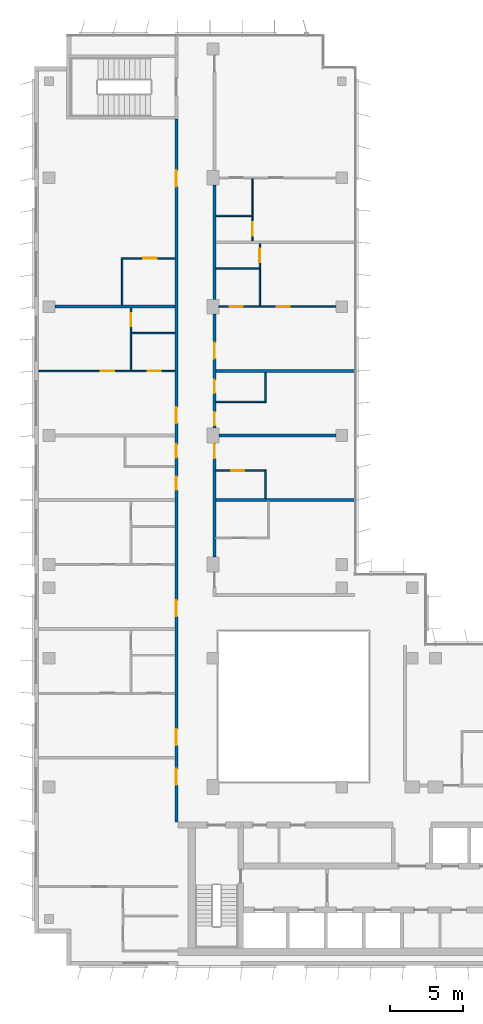
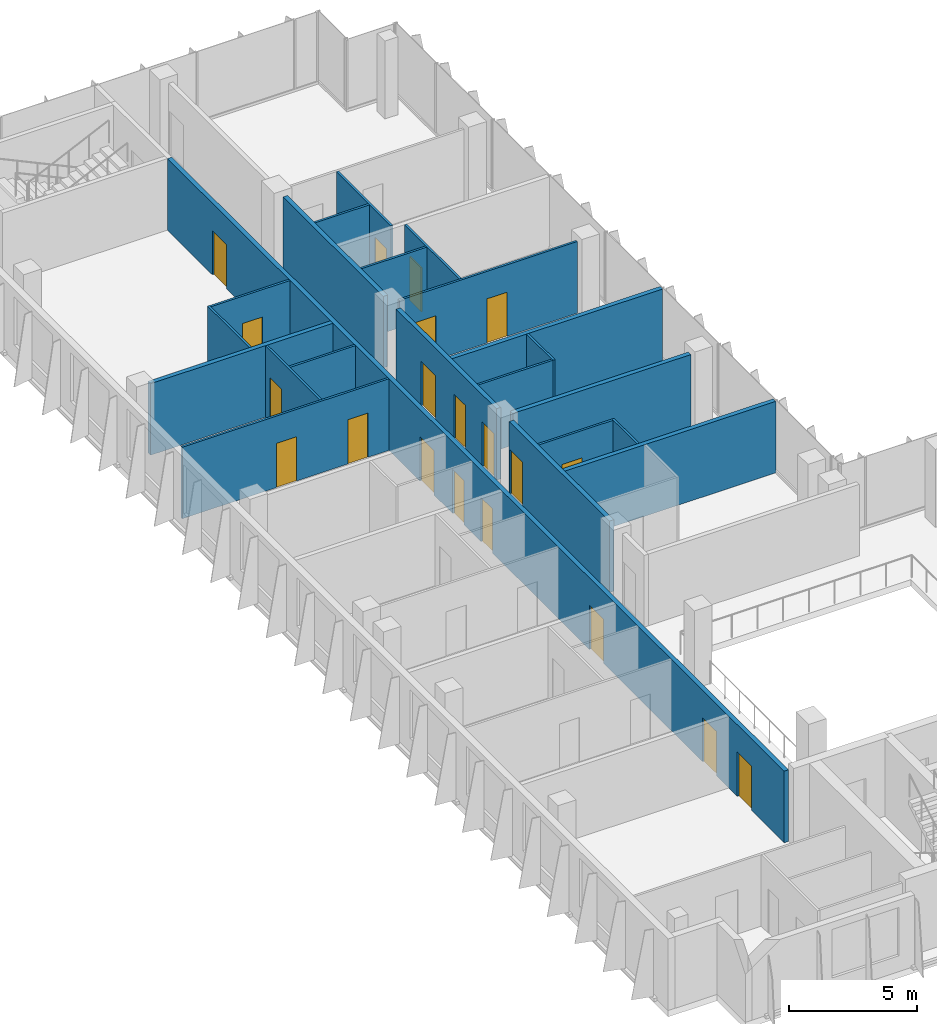
# One storey, part 12 of 16: 22 walls, 20 doors, 20 openings.
"""IFC4 building model written with IfcOpenShell, lengths in metres."""

import ifcopenshell
import ifcopenshell.guid

model = None  # the IFC model being written
_history = None  # IfcOwnerHistory: only IFC2X3 demands one
_inside = {}  # id of a spatial element -> (the spatial element, [elements in it])
_under = {}  # id of a project, library or spatial element -> (it, [spatial elements below it])
_declared = {}  # id of a project -> (the project, [libraries it declares])
_typed = {}  # id of a type object -> (the type object, [elements of that type])
_made_of = {}  # id of a material, layer set ... -> (it, [elements and type objects made of it])


def new_model(schema):
    """Start an empty IFC model of exactly this schema.

    Asked for "IFC4X3", IfcOpenShell would pick the latest addendum, in which some entities
    have other attributes; the version numbers below select the first issue.
    IFC2X3 requires an IfcOwnerHistory on every rooted entity: one is made here for all.
    """
    global model, _history
    if schema == "IFC4X3":
        model = ifcopenshell.file(schema_version=(4, 3, 0, 0))
    else:
        model = ifcopenshell.file(schema=schema)
    _inside.clear()
    _under.clear()
    _declared.clear()
    _typed.clear()
    _made_of.clear()
    _history = None
    if model.schema == "IFC2X3":
        org = make("IfcOrganization", Name="unknown")
        user = make(
            "IfcPersonAndOrganization",
            ThePerson=make("IfcPerson", FamilyName="unknown"),
            TheOrganization=org,
        )
        app = make(
            "IfcApplication",
            ApplicationDeveloper=org,
            Version="unknown",
            ApplicationFullName="unknown",
            ApplicationIdentifier="unknown",
        )
        _history = make(
            "IfcOwnerHistory",
            OwningUser=user,
            OwningApplication=app,
            ChangeAction="ADDED",
            CreationDate=0,
        )
    return model


def make(cls, **values):
    """One entity of the class cls with the attributes given. An attribute that is None is left unset."""
    return model.create_entity(
        cls, **{name: value for name, value in values.items() if value is not None}
    )


def rooted(cls, **values):
    """An entity with a GlobalId (a new one), such as an element, a storey or a relation."""
    return make(cls, GlobalId=ifcopenshell.guid.new(), OwnerHistory=_history, **values)


def si_unit(unit_type, name, prefix=None):
    """IfcSIUnit, for example si_unit("LENGTHUNIT", "METRE", prefix="MILLI")."""
    return make("IfcSIUnit", UnitType=unit_type, Prefix=prefix, Name=name)


def assignment(units):
    """IfcUnitAssignment: the units of a project."""
    return None if units is None else make("IfcUnitAssignment", Units=units)


def point(xyz):
    """IfcCartesianPoint."""
    return None if xyz is None else make("IfcCartesianPoint", Coordinates=xyz)


def direction(xyz):
    """IfcDirection."""
    return None if xyz is None else make("IfcDirection", DirectionRatios=xyz)


def frame(location, z_axis=None, x_axis=None):
    """IfcAxis2Placement3D, a coordinate frame: its origin and axes. An axis left out is left unset."""
    return make(
        "IfcAxis2Placement3D",
        Location=point(location),
        Axis=direction(z_axis),
        RefDirection=direction(x_axis),
    )


def frame_2d(location, x_axis=None):
    """IfcAxis2Placement2D, a coordinate frame in the plane: its origin and x axis."""
    return make(
        "IfcAxis2Placement2D", Location=point(location), RefDirection=direction(x_axis)
    )


def origin():
    """The frame at (0, 0, 0) with its axes left unset."""
    return frame((0.0, 0.0, 0.0))


def place(relative_to, where):
    """IfcLocalPlacement: puts the frame where relative to a parent placement (None: the world)."""
    return make(
        "IfcLocalPlacement", PlacementRelTo=relative_to, RelativePlacement=where
    )


def context(
    kind, dimensions, precision=None, world=None, true_north=None, identifier=None
):
    """IfcGeometricRepresentationContext, for example the 3D "Model" context."""
    return make(
        "IfcGeometricRepresentationContext",
        ContextIdentifier=identifier,
        ContextType=kind,
        CoordinateSpaceDimension=dimensions,
        Precision=precision,
        WorldCoordinateSystem=world,
        TrueNorth=true_north,
    )


def subcontext(parent, identifier, kind, view, scale=None):
    """IfcGeometricRepresentationSubContext, for example "Body" below "Model"."""
    return make(
        "IfcGeometricRepresentationSubContext",
        ContextIdentifier=identifier,
        ContextType=kind,
        ParentContext=parent,
        TargetScale=scale,
        TargetView=view,
    )


def project(units=None, contexts=None):
    """IfcProject with its units and contexts."""
    return rooted(
        "IfcProject",
        Name="project",
        RepresentationContexts=contexts,
        UnitsInContext=assignment(units),
    )


def spatial(cls, under=None, at=None, **own):
    """A site, building, storey or space (cls), placed at a placement, below another one or the project."""
    s = rooted(cls, ObjectPlacement=at, **own)
    if under is not None:
        _under.setdefault(under.id(), (under, []))[1].append(s)
    return s


def profile(cls, at=None, kind="AREA", **sizes):
    """A parametric profile (cls). Its sizes go by their IFC names, for example OverallWidth=200.0."""
    return make(cls, ProfileType=kind, Position=at, **sizes)


def rectangle(**sizes):
    """IfcRectangleProfileDef."""
    return profile("IfcRectangleProfileDef", **sizes)


def extrude(swept, where, along, depth):
    """IfcExtrudedAreaSolid: the profile swept, set in the frame where, extruded along a direction by depth."""
    return make(
        "IfcExtrudedAreaSolid",
        SweptArea=swept,
        Position=where,
        ExtrudedDirection=direction(along),
        Depth=depth,
    )


def shape(context_of_items, identifier, shape_type, items):
    """IfcShapeRepresentation: the items that make up one representation, for example the "Body"."""
    return make(
        "IfcShapeRepresentation",
        ContextOfItems=context_of_items,
        RepresentationIdentifier=identifier,
        RepresentationType=shape_type,
        Items=items,
    )


def material(Name=None, Category=None):
    """IfcMaterial."""
    return make("IfcMaterial", Name=Name, Category=Category)


def layer(
    of_material, thickness, ventilated=None, Name=None, Category=None, Priority=None
):
    """IfcMaterialLayer: one layer of a wall or slab, of a material (None: an air gap)."""
    return make(
        "IfcMaterialLayer",
        Material=of_material,
        LayerThickness=thickness,
        IsVentilated=ventilated,
        Name=Name,
        Category=Category,
        Priority=Priority,
    )


def layer_set(layers, Name=None):
    """IfcMaterialLayerSet."""
    return make("IfcMaterialLayerSet", MaterialLayers=layers, LayerSetName=Name)


def made_of(thing, what):
    """Note that an element or type object is made of a material, layer set ...; save() writes the relation."""
    if what is not None:
        _made_of.setdefault(what.id(), (what, []))[1].append(thing)
    return thing


def type_object(cls, material=None, **own):
    """A type object (cls), such as IfcWallType, which elements share."""
    return made_of(rooted(cls, **own), material)


def element(
    cls,
    number,
    at=None,
    inside=None,
    cuts=None,
    type_object=None,
    material=None,
    context=None,
    identifier="Body",
    shape_type=None,
    held_by="IfcProductDefinitionShape",
    body=None,
    shapes=None,
    **own,
):
    """One element of the class cls, such as IfcWall. Its Tag is "e" and its number.

    at: its placement. inside: the storey or other place that contains it. cuts: it is an
    opening in that element (IfcRelVoidsElement). A single representation is given by context,
    identifier, shape_type and body (its items); several are given by shapes. held_by: the class
    of the entity that holds the representations. save() writes the other relations.
    """
    e = rooted(cls, Tag="e%d" % number, ObjectPlacement=at, **own)
    if body is not None:
        shapes = [shape(context, identifier, shape_type, body)]
    if shapes is not None:
        e.Representation = make(held_by, Representations=shapes)
    if inside is not None:
        _inside.setdefault(inside.id(), (inside, []))[1].append(e)
    if cuts is not None:
        rooted(
            "IfcRelVoidsElement", RelatingBuildingElement=cuts, RelatedOpeningElement=e
        )
    if type_object is not None:
        _typed.setdefault(type_object.id(), (type_object, []))[1].append(e)
    return made_of(e, material)


def fill(opening, filler):
    """IfcRelFillsElement: the door or window that sits in an opening."""
    return rooted(
        "IfcRelFillsElement",
        RelatingOpeningElement=opening,
        RelatedBuildingElement=filler,
    )


def aggregate(whole, parts):
    """IfcRelAggregates: a whole, such as a stair, and the parts it consists of."""
    return rooted("IfcRelAggregates", RelatingObject=whole, RelatedObjects=parts)


def save(model, path):
    """Write the relations noted so far, then the file.

    IfcRelAggregates (storeys below a building ...), IfcRelContainedInSpatialStructure (elements
    in a storey), IfcRelDefinesByType, IfcRelAssociatesMaterial and IfcRelDeclares: one each for
    every whole, place, type object, material and project.
    """
    for whole, parts in _under.values():
        aggregate(whole, parts)
    for where, things in _inside.values():
        rooted(
            "IfcRelContainedInSpatialStructure",
            RelatedElements=things,
            RelatingStructure=where,
        )
    for kind, things in _typed.values():
        rooted("IfcRelDefinesByType", RelatedObjects=things, RelatingType=kind)
    for what, things in _made_of.values():
        rooted("IfcRelAssociatesMaterial", RelatedObjects=things, RelatingMaterial=what)
    for by, libraries in _declared.values():
        rooted("IfcRelDeclares", RelatingContext=by, RelatedDefinitions=libraries)
    model.write(path)


model = new_model("IFC4")

# Units and contexts
model_context = context("Model", 3, precision=1e-05, world=origin(), true_north=direction((0.0, 1.0)))
body_context = subcontext(model_context, "Body", "Model", "MODEL_VIEW")
ifc_project = project(units=[si_unit("LENGTHUNIT", "METRE"), si_unit("AREAUNIT", "SQUARE_METRE"), si_unit("VOLUMEUNIT", "CUBIC_METRE"), si_unit("PLANEANGLEUNIT", "RADIAN"), si_unit("MASSUNIT", "GRAM", prefix="KILO")], contexts=[model_context])

# Site, building, storey
site_placement = place(None, origin())
site = spatial("IfcSite", under=ifc_project, at=site_placement, CompositionType="ELEMENT")
building_placement = place(site_placement, origin())
building = spatial("IfcBuilding", under=site, at=building_placement, Name="Kemantara Hotel Tower", CompositionType="ELEMENT")
storey_placement = place(building_placement, frame((0.0, 0.0, 283.300048828125)))
storey = spatial("IfcBuildingStorey", under=building, at=storey_placement, Name="L71", CompositionType="ELEMENT", Elevation=283.300048828125)

# Wall, openings, doors
ifc_material_1 = material(Name="Gypsum board partition, steel studs and mineral wool, 200 mm", Category="steel")
ifc_layer_1 = layer(ifc_material_1, 0.199951171875)
ifc_layer_set_1 = layer_set([ifc_layer_1], Name="Gypsum board partition, steel studs and mineral wool, 200 mm")
wall_type_1 = type_object("IfcWallType", Name="CORRIDOR WALL 200", PredefinedType="PARTITIONING", material=ifc_layer_set_1)
wall_1_placement = place(storey_placement, frame((9.699951171875, 9.800048828125, 0.0), z_axis=(0.0, 0.0, 1.0), x_axis=(0.0, 1.0, 0.0)))
wall_1 = element("IfcWall", 1, at=wall_1_placement, inside=storey, type_object=wall_type_1, Name="CORRIDOR WALL 200 007", PredefinedType="PARTITIONING", context=body_context, shape_type="SweptSolid", body=[
    extrude(rectangle(XDim=48.0, YDim=0.199951171875, at=frame_2d((24.0, 0.0))), origin(), (0.0, 0.0, 1.0), 3.39990234375),
])
opening_1_placement = place(wall_1_placement, frame((2.550048828125, 0.0, 0.0)))
opening_1 = element("IfcOpeningElement", 2, at=opening_1_placement, cuts=wall_1, Name="Opening F35-009", PredefinedType="OPENING", context=body_context, shape_type="SweptSolid", body=[
    extrude(rectangle(XDim=1.10009765625, YDim=2.10009765625, at=frame_2d((0.550048828125, 1.050048828125))), frame((0.0, 0.10986328125, 0.0), z_axis=(0.0, -1.0, 0.0), x_axis=(1.0, 0.0, 0.0)), (0.0, 0.0, 1.0), 0.219970703125),
])
opening_2_placement = place(wall_1_placement, frame((5.25, 0.0, 0.0)))
opening_2 = element("IfcOpeningElement", 3, at=opening_2_placement, cuts=wall_1, Name="Opening F35-013", PredefinedType="OPENING", context=body_context, shape_type="SweptSolid", body=[
    extrude(rectangle(XDim=1.10009765625, YDim=2.10009765625, at=frame_2d((0.550048828125, 1.050048828125))), frame((0.0, 0.10986328125, 0.0), z_axis=(0.0, -1.0, 0.0), x_axis=(1.0, 0.0, 0.0)), (0.0, 0.0, 1.0), 0.219970703125),
])
opening_3_placement = place(wall_1_placement, frame((14.050048828125, 0.0, 0.0)))
opening_3 = element("IfcOpeningElement", 4, at=opening_3_placement, cuts=wall_1, Name="Opening F35-017", PredefinedType="OPENING", context=body_context, shape_type="SweptSolid", body=[
    extrude(rectangle(XDim=1.10009765625, YDim=2.10009765625, at=frame_2d((0.550048828125, 1.050048828125))), frame((0.0, 0.10986328125, 0.0), z_axis=(0.0, -1.0, 0.0), x_axis=(1.0, 0.0, 0.0)), (0.0, 0.0, 1.0), 0.219970703125),
])
opening_4_placement = place(wall_1_placement, frame((22.699951171875, 0.0, 0.0)))
opening_4 = element("IfcOpeningElement", 5, at=opening_4_placement, cuts=wall_1, Name="Opening F35-021", PredefinedType="OPENING", context=body_context, shape_type="SweptSolid", body=[
    extrude(rectangle(XDim=0.89990234375, YDim=2.10009765625, at=frame_2d((0.449951171875, 1.050048828125))), frame((0.0, 0.10986328125, 0.0), z_axis=(0.0, -1.0, 0.0), x_axis=(1.0, 0.0, 0.0)), (0.0, 0.0, 1.0), 0.219970703125),
])
opening_5_placement = place(wall_1_placement, frame((24.89990234375, 0.0, 0.0)))
opening_5 = element("IfcOpeningElement", 6, at=opening_5_placement, cuts=wall_1, Name="Opening F35-022", PredefinedType="OPENING", context=body_context, shape_type="SweptSolid", body=[
    extrude(rectangle(XDim=0.89990234375, YDim=2.10009765625, at=frame_2d((0.449951171875, 1.050048828125))), frame((0.0, 0.10986328125, 0.0), z_axis=(0.0, -1.0, 0.0), x_axis=(1.0, 0.0, 0.0)), (0.0, 0.0, 1.0), 0.219970703125),
])
opening_6_placement = place(wall_1_placement, frame((27.25, 0.0, 0.0)))
opening_6 = element("IfcOpeningElement", 7, at=opening_6_placement, cuts=wall_1, Name="Opening F35-023", PredefinedType="OPENING", context=body_context, shape_type="SweptSolid", body=[
    extrude(rectangle(XDim=1.10009765625, YDim=2.10009765625, at=frame_2d((0.550048828125, 1.050048828125))), frame((0.0, 0.10986328125, 0.0), z_axis=(0.0, -1.0, 0.0), x_axis=(1.0, 0.0, 0.0)), (0.0, 0.0, 1.0), 0.219970703125),
])
opening_7_placement = place(wall_1_placement, frame((43.39990234375, 0.0, 0.0)))
opening_7 = element("IfcOpeningElement", 8, at=opening_7_placement, cuts=wall_1, Name="Opening F35-027", PredefinedType="OPENING", context=body_context, shape_type="SweptSolid", body=[
    extrude(rectangle(XDim=1.10009765625, YDim=2.10009765625, at=frame_2d((0.550048828125, 1.050048828125))), frame((0.0, 0.10986328125, 0.0), z_axis=(0.0, -1.0, 0.0), x_axis=(1.0, 0.0, 0.0)), (0.0, 0.0, 1.0), 0.219970703125),
])
ifc_material_2 = material(Name="Steel door leaf with steel frame", Category="steel")
door_type_1 = type_object("IfcDoorType", Name="SERVICE ROOM DOOR 900 X 2100 FD60", OperationType="NOTDEFINED", PredefinedType="DOOR", material=ifc_material_2)
door_1_placement = place(opening_4_placement, origin())
door_1 = element("IfcDoor", 9, at=door_1_placement, inside=storey, type_object=door_type_1, Name="SERVICE ROOM DOOR F35-021", OperationType="SINGLE_SWING_LEFT", OverallHeight=2.10009765625, OverallWidth=0.89990234375, PredefinedType="DOOR", context=body_context, shape_type="SweptSolid", body=[
    extrude(rectangle(XDim=0.89990234375, YDim=2.10009765625, at=frame_2d((0.449951171875, 1.050048828125))), frame((0.0, 0.02490234375, 0.0), z_axis=(0.0, -1.0, 0.0), x_axis=(1.0, 0.0, 0.0)), (0.0, 0.0, 1.0), 0.050048828125),
])
fill(opening_4, door_1)
door_2_placement = place(opening_5_placement, origin())
door_2 = element("IfcDoor", 10, at=door_2_placement, inside=storey, type_object=door_type_1, Name="SERVICE ROOM DOOR F35-022", OperationType="SINGLE_SWING_RIGHT", OverallHeight=2.10009765625, OverallWidth=0.89990234375, PredefinedType="DOOR", context=body_context, shape_type="SweptSolid", body=[
    extrude(rectangle(XDim=0.89990234375, YDim=2.10009765625, at=frame_2d((0.449951171875, 1.050048828125))), frame((0.0, 0.02490234375, 0.0), z_axis=(0.0, -1.0, 0.0), x_axis=(1.0, 0.0, 0.0)), (0.0, 0.0, 1.0), 0.050048828125),
])
fill(opening_5, door_2)
ifc_material_3 = material(Name="Hardwood veneer door leaf with steel frame", Category="steel")
door_type_2 = type_object("IfcDoorType", Name="SUITE ENTRANCE DOOR 1100 X 2100 FD30S", OperationType="NOTDEFINED", PredefinedType="DOOR", material=ifc_material_3)
door_3_placement = place(opening_1_placement, origin())
door_3 = element("IfcDoor", 11, at=door_3_placement, inside=storey, type_object=door_type_2, Name="SUITE ENTRANCE DOOR F35-009", OperationType="SINGLE_SWING_RIGHT", OverallHeight=2.10009765625, OverallWidth=1.10009765625, PredefinedType="DOOR", context=body_context, shape_type="SweptSolid", body=[
    extrude(rectangle(XDim=1.10009765625, YDim=2.10009765625, at=frame_2d((0.550048828125, 1.050048828125))), frame((0.0, 0.02490234375, 0.0), z_axis=(0.0, -1.0, 0.0), x_axis=(1.0, 0.0, 0.0)), (0.0, 0.0, 1.0), 0.050048828125),
])
fill(opening_1, door_3)
door_4_placement = place(opening_2_placement, origin())
door_4 = element("IfcDoor", 12, at=door_4_placement, inside=storey, type_object=door_type_2, Name="SUITE ENTRANCE DOOR F35-013", OperationType="SINGLE_SWING_LEFT", OverallHeight=2.10009765625, OverallWidth=1.10009765625, PredefinedType="DOOR", context=body_context, shape_type="SweptSolid", body=[
    extrude(rectangle(XDim=1.10009765625, YDim=2.10009765625, at=frame_2d((0.550048828125, 1.050048828125))), frame((0.0, 0.02490234375, 0.0), z_axis=(0.0, -1.0, 0.0), x_axis=(1.0, 0.0, 0.0)), (0.0, 0.0, 1.0), 0.050048828125),
])
fill(opening_2, door_4)
door_5_placement = place(opening_3_placement, origin())
door_5 = element("IfcDoor", 13, at=door_5_placement, inside=storey, type_object=door_type_2, Name="SUITE ENTRANCE DOOR F35-017", OperationType="SINGLE_SWING_LEFT", OverallHeight=2.10009765625, OverallWidth=1.10009765625, PredefinedType="DOOR", context=body_context, shape_type="SweptSolid", body=[
    extrude(rectangle(XDim=1.10009765625, YDim=2.10009765625, at=frame_2d((0.550048828125, 1.050048828125))), frame((0.0, 0.02490234375, 0.0), z_axis=(0.0, -1.0, 0.0), x_axis=(1.0, 0.0, 0.0)), (0.0, 0.0, 1.0), 0.050048828125),
])
fill(opening_3, door_5)
door_6_placement = place(opening_6_placement, origin())
door_6 = element("IfcDoor", 14, at=door_6_placement, inside=storey, type_object=door_type_2, Name="SUITE ENTRANCE DOOR F35-023", OperationType="SINGLE_SWING_LEFT", OverallHeight=2.10009765625, OverallWidth=1.10009765625, PredefinedType="DOOR", context=body_context, shape_type="SweptSolid", body=[
    extrude(rectangle(XDim=1.10009765625, YDim=2.10009765625, at=frame_2d((0.550048828125, 1.050048828125))), frame((0.0, 0.02490234375, 0.0), z_axis=(0.0, -1.0, 0.0), x_axis=(1.0, 0.0, 0.0)), (0.0, 0.0, 1.0), 0.050048828125),
])
fill(opening_6, door_6)
door_7_placement = place(opening_7_placement, origin())
door_7 = element("IfcDoor", 15, at=door_7_placement, inside=storey, type_object=door_type_2, Name="SUITE ENTRANCE DOOR F35-027", OperationType="SINGLE_SWING_RIGHT", OverallHeight=2.10009765625, OverallWidth=1.10009765625, PredefinedType="DOOR", context=body_context, shape_type="SweptSolid", body=[
    extrude(rectangle(XDim=1.10009765625, YDim=2.10009765625, at=frame_2d((0.550048828125, 1.050048828125))), frame((0.0, 0.02490234375, 0.0), z_axis=(0.0, -1.0, 0.0), x_axis=(1.0, 0.0, 0.0)), (0.0, 0.0, 1.0), 0.050048828125),
])
fill(opening_7, door_7)

# Wall, opening, door
wall_2_placement = place(storey_placement, frame((12.300048828125, 35.699951171875, 0.0), z_axis=(0.0, 0.0, 1.0), x_axis=(0.0, -1.0, 0.0)))
wall_2 = element("IfcWall", 16, at=wall_2_placement, inside=storey, type_object=wall_type_1, Name="CORRIDOR WALL 200 017", PredefinedType="PARTITIONING", context=body_context, shape_type="SweptSolid", body=[
    extrude(rectangle(XDim=7.7998046875, YDim=0.199951171875, at=frame_2d((3.89990234375, 0.0))), origin(), (0.0, 0.0, 1.0), 3.39990234375),
])
opening_8_placement = place(wall_2_placement, frame((0.0498046875, 0.0, 0.0)))
opening_8 = element("IfcOpeningElement", 17, at=opening_8_placement, cuts=wall_2, Name="Opening F35-031", PredefinedType="OPENING", context=body_context, shape_type="SweptSolid", body=[
    extrude(rectangle(XDim=1.0, YDim=2.10009765625, at=frame_2d((0.5, 1.050048828125))), frame((0.0, 0.10986328125, 0.0), z_axis=(0.0, -1.0, 0.0), x_axis=(1.0, 0.0, 0.0)), (0.0, 0.0, 1.0), 0.219970703125),
])
door_type_3 = type_object("IfcDoorType", Name="GUEST ROOM DOOR 1000 X 2100 FD30S", OperationType="NOTDEFINED", PredefinedType="DOOR", material=ifc_material_3)
door_8_placement = place(opening_8_placement, origin())
door_8 = element("IfcDoor", 18, at=door_8_placement, inside=storey, type_object=door_type_3, Name="GUEST ROOM DOOR F35-031", OperationType="SINGLE_SWING_LEFT", OverallHeight=2.10009765625, OverallWidth=1.0, PredefinedType="DOOR", context=body_context, shape_type="SweptSolid", body=[
    extrude(rectangle(XDim=1.0, YDim=2.10009765625, at=frame_2d((0.5, 1.050048828125))), frame((0.0, 0.02490234375, 0.0), z_axis=(0.0, -1.0, 0.0), x_axis=(1.0, 0.0, 0.0)), (0.0, 0.0, 1.0), 0.050048828125),
])
fill(opening_8, door_8)

# Wall, openings, doors
wall_3_placement = place(storey_placement, frame((12.300048828125, 44.5, 0.0), z_axis=(0.0, 0.0, 1.0), x_axis=(0.0, -1.0, 0.0)))
wall_3 = element("IfcWall", 19, at=wall_3_placement, inside=storey, type_object=wall_type_1, Name="CORRIDOR WALL 200 018", PredefinedType="PARTITIONING", context=body_context, shape_type="SweptSolid", body=[
    extrude(rectangle(XDim=7.7998046875, YDim=0.199951171875, at=frame_2d((3.89990234375, 0.0))), origin(), (0.0, 0.0, 1.0), 3.39990234375),
])
opening_9_placement = place(wall_3_placement, frame((6.699951171875, 0.0, 0.0)))
opening_9 = element("IfcOpeningElement", 20, at=opening_9_placement, cuts=wall_3, Name="Opening F35-033", PredefinedType="OPENING", context=body_context, shape_type="SweptSolid", body=[
    extrude(rectangle(XDim=0.89990234375, YDim=2.10009765625, at=frame_2d((0.449951171875, 1.050048828125))), frame((0.0, 0.10986328125, 0.0), z_axis=(0.0, -1.0, 0.0), x_axis=(1.0, 0.0, 0.0)), (0.0, 0.0, 1.0), 0.219970703125),
])
opening_10_placement = place(wall_3_placement, frame((4.5, 0.0, 0.0)))
opening_10 = element("IfcOpeningElement", 21, at=opening_10_placement, cuts=wall_3, Name="Opening F35-034", PredefinedType="OPENING", context=body_context, shape_type="SweptSolid", body=[
    extrude(rectangle(XDim=0.89990234375, YDim=2.10009765625, at=frame_2d((0.449951171875, 1.050048828125))), frame((0.0, 0.10986328125, 0.0), z_axis=(0.0, -1.0, 0.0), x_axis=(1.0, 0.0, 0.0)), (0.0, 0.0, 1.0), 0.219970703125),
])
opening_11_placement = place(wall_3_placement, frame((1.949951171875, 0.0, 0.0)))
opening_11 = element("IfcOpeningElement", 22, at=opening_11_placement, cuts=wall_3, Name="Opening F35-035", PredefinedType="OPENING", context=body_context, shape_type="SweptSolid", body=[
    extrude(rectangle(XDim=1.10009765625, YDim=2.10009765625, at=frame_2d((0.550048828125, 1.050048828125))), frame((0.0, 0.10986328125, 0.0), z_axis=(0.0, -1.0, 0.0), x_axis=(1.0, 0.0, 0.0)), (0.0, 0.0, 1.0), 0.219970703125),
])
door_9_placement = place(opening_9_placement, origin())
door_9 = element("IfcDoor", 23, at=door_9_placement, inside=storey, type_object=door_type_1, Name="SERVICE ROOM DOOR F35-033", OperationType="SINGLE_SWING_RIGHT", OverallHeight=2.10009765625, OverallWidth=0.89990234375, PredefinedType="DOOR", context=body_context, shape_type="SweptSolid", body=[
    extrude(rectangle(XDim=0.89990234375, YDim=2.10009765625, at=frame_2d((0.449951171875, 1.050048828125))), frame((0.0, 0.02490234375, 0.0), z_axis=(0.0, -1.0, 0.0), x_axis=(1.0, 0.0, 0.0)), (0.0, 0.0, 1.0), 0.050048828125),
])
fill(opening_9, door_9)
door_10_placement = place(opening_10_placement, origin())
door_10 = element("IfcDoor", 24, at=door_10_placement, inside=storey, type_object=door_type_1, Name="SERVICE ROOM DOOR F35-034", OperationType="SINGLE_SWING_LEFT", OverallHeight=2.10009765625, OverallWidth=0.89990234375, PredefinedType="DOOR", context=body_context, shape_type="SweptSolid", body=[
    extrude(rectangle(XDim=0.89990234375, YDim=2.10009765625, at=frame_2d((0.449951171875, 1.050048828125))), frame((0.0, 0.02490234375, 0.0), z_axis=(0.0, -1.0, 0.0), x_axis=(1.0, 0.0, 0.0)), (0.0, 0.0, 1.0), 0.050048828125),
])
fill(opening_10, door_10)
door_11_placement = place(opening_11_placement, origin())
door_11 = element("IfcDoor", 25, at=door_11_placement, inside=storey, type_object=door_type_2, Name="SUITE ENTRANCE DOOR F35-035", OperationType="SINGLE_SWING_RIGHT", OverallHeight=2.10009765625, OverallWidth=1.10009765625, PredefinedType="DOOR", context=body_context, shape_type="SweptSolid", body=[
    extrude(rectangle(XDim=1.10009765625, YDim=2.10009765625, at=frame_2d((0.550048828125, 1.050048828125))), frame((0.0, 0.02490234375, 0.0), z_axis=(0.0, -1.0, 0.0), x_axis=(1.0, 0.0, 0.0)), (0.0, 0.0, 1.0), 0.050048828125),
])
fill(opening_11, door_11)

# Walls
wall_4_placement = place(storey_placement, frame((12.300048828125, 45.5, 0.0), z_axis=(0.0, 0.0, 1.0), x_axis=(0.0, 1.0, 0.0)))
element("IfcWall", 26, at=wall_4_placement, inside=storey, type_object=wall_type_1, Name="CORRIDOR WALL 200 019", PredefinedType="PARTITIONING", context=body_context, shape_type="SweptSolid", body=[
    extrude(rectangle(XDim=7.7998046875, YDim=0.199951171875, at=frame_2d((3.89990234375, 0.0))), origin(), (0.0, 0.0, 1.0), 3.39990234375),
])
ifc_layer_2 = layer(ifc_material_1, 0.199951171875)
ifc_layer_set_2 = layer_set([ifc_layer_2], Name="Gypsum board partition, steel studs and mineral wool, 200 mm")
wall_type_2 = type_object("IfcWallType", Name="GUEST ROOM PARTY WALL 200", PredefinedType="PARTITIONING", material=ifc_layer_set_2)
wall_5_placement = place(storey_placement, frame((12.39990234375, 31.800048828125, 0.0), z_axis=(0.0, 0.0, 1.0), x_axis=(1.0, 0.0, 0.0)))
element("IfcWall", 27, at=wall_5_placement, inside=storey, type_object=wall_type_2, Name="GUEST ROOM PARTY WALL 200 012", PredefinedType="PARTITIONING", context=body_context, shape_type="SweptSolid", body=[
    extrude(rectangle(XDim=9.47021484375, YDim=0.199951171875, at=frame_2d((4.735107421875, 0.0))), origin(), (0.0, 0.0, 1.0), 3.39990234375),
])
wall_6_placement = place(storey_placement, frame((12.60009765625, 36.199951171875, 0.0), z_axis=(0.0, 0.0, 1.0), x_axis=(1.0, 0.0, 0.0)))
element("IfcWall", 28, at=wall_6_placement, inside=storey, type_object=wall_type_2, Name="GUEST ROOM PARTY WALL 200 014", PredefinedType="PARTITIONING", context=body_context, shape_type="SweptSolid", body=[
    extrude(rectangle(XDim=7.999755859375, YDim=0.199951171875, at=frame_2d((4.0, 0.0))), origin(), (0.0, 0.0, 1.0), 3.39990234375),
])
wall_7_placement = place(storey_placement, frame((1.400146484375, 45.0, 0.0), z_axis=(0.0, 0.0, 1.0), x_axis=(1.0, 0.0, 0.0)))
element("IfcWall", 29, at=wall_7_placement, inside=storey, type_object=wall_type_2, Name="GUEST ROOM PARTY WALL 200 015", PredefinedType="PARTITIONING", context=body_context, shape_type="SweptSolid", body=[
    extrude(rectangle(XDim=8.199951171875, YDim=0.199951171875, at=frame_2d((4.10009765625, 0.0))), origin(), (0.0, 0.0, 1.0), 3.39990234375),
])
wall_8_placement = place(storey_placement, frame((12.39990234375, 40.60009765625, 0.0), z_axis=(0.0, 0.0, 1.0), x_axis=(1.0, 0.0, 0.0)))
element("IfcWall", 30, at=wall_8_placement, inside=storey, type_object=wall_type_2, Name="GUEST ROOM PARTY WALL 200 022", PredefinedType="PARTITIONING", context=body_context, shape_type="SweptSolid", body=[
    extrude(rectangle(XDim=9.47021484375, YDim=0.199951171875, at=frame_2d((4.735107421875, 0.0))), origin(), (0.0, 0.0, 1.0), 3.39990234375),
])

# Wall, opening, door
ifc_material_4 = material(Name="Gypsum board partition on steel studs, 100 mm", Category="steel")
ifc_layer_3 = layer(ifc_material_4, 0.10009765625)
ifc_layer_set_3 = layer_set([ifc_layer_3], Name="Gypsum board partition on steel studs, 100 mm")
wall_type_3 = type_object("IfcWallType", Name="ROOM PARTITION 100", PredefinedType="PARTITIONING", material=ifc_layer_set_3)
wall_9_placement = place(storey_placement, frame((6.60009765625, 44.89990234375, 0.0), z_axis=(0.0, 0.0, 1.0), x_axis=(0.0, -1.0, 0.0)))
wall_9 = element("IfcWall", 31, at=wall_9_placement, inside=storey, type_object=wall_type_3, Name="ROOM PARTITION 100 037", PredefinedType="PARTITIONING", context=body_context, shape_type="SweptSolid", body=[
    extrude(rectangle(XDim=4.25, YDim=0.10009765625, at=frame_2d((2.125, 0.0))), origin(), (0.0, 0.0, 1.0), 3.39990234375),
])
opening_12_placement = place(wall_9_placement, frame((0.35009765625, 0.0, 0.0)))
opening_12 = element("IfcOpeningElement", 32, at=opening_12_placement, cuts=wall_9, Name="Opening F35-026", PredefinedType="OPENING", context=body_context, shape_type="SweptSolid", body=[
    extrude(rectangle(XDim=0.89990234375, YDim=2.10009765625, at=frame_2d((0.449951171875, 1.050048828125))), frame((0.0, 0.06005859375, 0.0), z_axis=(0.0, -1.0, 0.0), x_axis=(1.0, 0.0, 0.0)), (0.0, 0.0, 1.0), 0.1201171875),
])
door_type_4 = type_object("IfcDoorType", Name="BATHROOM DOOR 900 X 2100", OperationType="NOTDEFINED", PredefinedType="DOOR", material=ifc_material_3)
door_12_placement = place(opening_12_placement, origin())
door_12 = element("IfcDoor", 33, at=door_12_placement, inside=storey, type_object=door_type_4, Name="BATHROOM DOOR F35-026", OperationType="SINGLE_SWING_RIGHT", OverallHeight=2.10009765625, OverallWidth=0.89990234375, PredefinedType="DOOR", context=body_context, shape_type="SweptSolid", body=[
    extrude(rectangle(XDim=0.89990234375, YDim=2.10009765625, at=frame_2d((0.449951171875, 1.050048828125))), frame((0.0, 0.02490234375, 0.0), z_axis=(0.0, -1.0, 0.0), x_axis=(1.0, 0.0, 0.0)), (0.0, 0.0, 1.0), 0.050048828125),
])
fill(opening_12, door_12)

# Wall, openings, doors
wall_10_placement = place(storey_placement, frame((0.31005859375, 40.60009765625, 0.0), z_axis=(0.0, 0.0, 1.0), x_axis=(1.0, 0.0, 0.0)))
wall_10 = element("IfcWall", 34, at=wall_10_placement, inside=storey, type_object=wall_type_3, Name="ROOM PARTITION 100 044", PredefinedType="PARTITIONING", context=body_context, shape_type="SweptSolid", body=[
    extrude(rectangle(XDim=9.2900390625, YDim=0.10009765625, at=frame_2d((4.64501953125, 0.0))), origin(), (0.0, 0.0, 1.0), 3.39990234375),
])
opening_13_placement = place(wall_10_placement, frame((7.43994140625, 0.0, 0.0)))
opening_13 = element("IfcOpeningElement", 35, at=opening_13_placement, cuts=wall_10, Name="Opening F35-024", PredefinedType="OPENING", context=body_context, shape_type="SweptSolid", body=[
    extrude(rectangle(XDim=0.89990234375, YDim=2.10009765625, at=frame_2d((0.449951171875, 1.050048828125))), frame((0.0, 0.06005859375, 0.0), z_axis=(0.0, -1.0, 0.0), x_axis=(1.0, 0.0, 0.0)), (0.0, 0.0, 1.0), 0.1201171875),
])
opening_14_placement = place(wall_10_placement, frame((4.239990234375, 0.0, 0.0)))
opening_14 = element("IfcOpeningElement", 36, at=opening_14_placement, cuts=wall_10, Name="Opening F35-025", PredefinedType="OPENING", context=body_context, shape_type="SweptSolid", body=[
    extrude(rectangle(XDim=0.89990234375, YDim=2.10009765625, at=frame_2d((0.449951171875, 1.050048828125))), frame((0.0, 0.06005859375, 0.0), z_axis=(0.0, -1.0, 0.0), x_axis=(1.0, 0.0, 0.0)), (0.0, 0.0, 1.0), 0.1201171875),
])
door_type_5 = type_object("IfcDoorType", Name="INTERNAL DOOR 900 X 2100", OperationType="NOTDEFINED", PredefinedType="DOOR", material=ifc_material_3)
door_13_placement = place(opening_14_placement, origin())
door_13 = element("IfcDoor", 37, at=door_13_placement, inside=storey, type_object=door_type_5, Name="INTERNAL DOOR F35-025", OperationType="SINGLE_SWING_RIGHT", OverallHeight=2.10009765625, OverallWidth=0.89990234375, PredefinedType="DOOR", context=body_context, shape_type="SweptSolid", body=[
    extrude(rectangle(XDim=0.89990234375, YDim=2.10009765625, at=frame_2d((0.449951171875, 1.050048828125))), frame((0.0, 0.02490234375, 0.0), z_axis=(0.0, -1.0, 0.0), x_axis=(1.0, 0.0, 0.0)), (0.0, 0.0, 1.0), 0.050048828125),
])
fill(opening_14, door_13)
door_type_6 = type_object("IfcDoorType", Name="PANTRY DOOR 900 X 2100", OperationType="NOTDEFINED", PredefinedType="DOOR", material=ifc_material_3)
door_14_placement = place(opening_13_placement, frame((0.89990234375, 0.0, 0.0), z_axis=(0.0, 0.0, 1.0), x_axis=(-1.0, 0.0, 0.0)))
door_14 = element("IfcDoor", 38, at=door_14_placement, inside=storey, type_object=door_type_6, Name="PANTRY DOOR F35-024", OperationType="SINGLE_SWING_RIGHT", OverallHeight=2.10009765625, OverallWidth=0.89990234375, PredefinedType="DOOR", context=body_context, shape_type="SweptSolid", body=[
    extrude(rectangle(XDim=0.89990234375, YDim=2.10009765625, at=frame_2d((0.449951171875, 1.050048828125))), frame((0.0, 0.02490234375, 0.0), z_axis=(0.0, -1.0, 0.0), x_axis=(1.0, 0.0, 0.0)), (0.0, 0.0, 1.0), 0.050048828125),
])
fill(opening_13, door_14)

# Walls
wall_11_placement = place(storey_placement, frame((6.64990234375, 43.199951171875, 0.0), z_axis=(0.0, 0.0, 1.0), x_axis=(1.0, 0.0, 0.0)))
element("IfcWall", 39, at=wall_11_placement, inside=storey, type_object=wall_type_3, Name="ROOM PARTITION 100 045", PredefinedType="PARTITIONING", context=body_context, shape_type="SweptSolid", body=[
    extrude(rectangle(XDim=2.9501953125, YDim=0.10009765625, at=frame_2d((1.47509765625, 0.0))), origin(), (0.0, 0.0, 1.0), 3.39990234375),
])
wall_12_placement = place(storey_placement, frame((6.0, 45.10009765625, 0.0), z_axis=(0.0, 0.0, 1.0), x_axis=(0.0, 1.0, 0.0)))
element("IfcWall", 40, at=wall_12_placement, inside=storey, type_object=wall_type_3, Name="ROOM PARTITION 100 046", PredefinedType="PARTITIONING", context=body_context, shape_type="SweptSolid", body=[
    extrude(rectangle(XDim=3.25, YDim=0.10009765625, at=frame_2d((1.625, 0.0))), origin(), (0.0, 0.0, 1.0), 3.39990234375),
])

# Wall, opening, door
wall_13_placement = place(storey_placement, frame((9.60009765625, 48.300048828125, 0.0), z_axis=(0.0, 0.0, 1.0), x_axis=(-1.0, 0.0, 0.0)))
wall_13 = element("IfcWall", 41, at=wall_13_placement, inside=storey, type_object=wall_type_3, Name="ROOM PARTITION 100 047", PredefinedType="PARTITIONING", context=body_context, shape_type="SweptSolid", body=[
    extrude(rectangle(XDim=3.550048828125, YDim=0.10009765625, at=frame_2d((1.77490234375, 0.0))), origin(), (0.0, 0.0, 1.0), 3.39990234375),
])
opening_15_placement = place(wall_13_placement, frame((1.25, 0.0, 0.0)))
opening_15 = element("IfcOpeningElement", 42, at=opening_15_placement, cuts=wall_13, Name="Opening F35-028", PredefinedType="OPENING", context=body_context, shape_type="SweptSolid", body=[
    extrude(rectangle(XDim=0.89990234375, YDim=2.10009765625, at=frame_2d((0.449951171875, 1.050048828125))), frame((0.0, 0.06005859375, 0.0), z_axis=(0.0, -1.0, 0.0), x_axis=(1.0, 0.0, 0.0)), (0.0, 0.0, 1.0), 0.1201171875),
])
door_15_placement = place(opening_15_placement, origin())
door_15 = element("IfcDoor", 43, at=door_15_placement, inside=storey, type_object=door_type_4, Name="BATHROOM DOOR F35-028", OperationType="SINGLE_SWING_LEFT", OverallHeight=2.10009765625, OverallWidth=0.89990234375, PredefinedType="DOOR", context=body_context, shape_type="SweptSolid", body=[
    extrude(rectangle(XDim=0.89990234375, YDim=2.10009765625, at=frame_2d((0.449951171875, 1.050048828125))), frame((0.0, 0.02490234375, 0.0), z_axis=(0.0, -1.0, 0.0), x_axis=(1.0, 0.0, 0.0)), (0.0, 0.0, 1.0), 0.050048828125),
])
fill(opening_15, door_15)

# Walls
wall_14_placement = place(storey_placement, frame((15.800048828125, 31.89990234375, 0.0), z_axis=(0.0, 0.0, 1.0), x_axis=(0.0, 1.0, 0.0)))
element("IfcWall", 44, at=wall_14_placement, inside=storey, type_object=wall_type_3, Name="ROOM PARTITION 100 050", PredefinedType="PARTITIONING", context=body_context, shape_type="SweptSolid", body=[
    extrude(rectangle(XDim=1.9501953125, YDim=0.10009765625, at=frame_2d((0.97509765625, 0.0))), origin(), (0.0, 0.0, 1.0), 3.39990234375),
])
wall_15_placement = place(storey_placement, frame((15.800048828125, 38.449951171875, 0.0), z_axis=(0.0, 0.0, 1.0), x_axis=(0.0, 1.0, 0.0)))
element("IfcWall", 45, at=wall_15_placement, inside=storey, type_object=wall_type_3, Name="ROOM PARTITION 100 051", PredefinedType="PARTITIONING", context=body_context, shape_type="SweptSolid", body=[
    extrude(rectangle(XDim=2.050048828125, YDim=0.10009765625, at=frame_2d((1.02490234375, 0.0))), origin(), (0.0, 0.0, 1.0), 3.39990234375),
])

# Wall, opening, door
wall_16_placement = place(storey_placement, frame((15.75, 33.800048828125, 0.0), z_axis=(0.0, 0.0, 1.0), x_axis=(-1.0, 0.0, 0.0)))
wall_16 = element("IfcWall", 46, at=wall_16_placement, inside=storey, type_object=wall_type_3, Name="ROOM PARTITION 100 052", PredefinedType="PARTITIONING", context=body_context, shape_type="SweptSolid", body=[
    extrude(rectangle(XDim=3.35009765625, YDim=0.10009765625, at=frame_2d((1.675048828125, 0.0))), origin(), (0.0, 0.0, 1.0), 3.39990234375),
])
opening_16_placement = place(wall_16_placement, frame((1.39990234375, 0.0, 0.0)))
opening_16 = element("IfcOpeningElement", 47, at=opening_16_placement, cuts=wall_16, Name="Opening F35-032", PredefinedType="OPENING", context=body_context, shape_type="SweptSolid", body=[
    extrude(rectangle(XDim=0.89990234375, YDim=2.10009765625, at=frame_2d((0.449951171875, 1.050048828125))), frame((0.0, 0.06005859375, 0.0), z_axis=(0.0, -1.0, 0.0), x_axis=(1.0, 0.0, 0.0)), (0.0, 0.0, 1.0), 0.1201171875),
])
door_16_placement = place(opening_16_placement, origin())
door_16 = element("IfcDoor", 48, at=door_16_placement, inside=storey, type_object=door_type_4, Name="BATHROOM DOOR F35-032", OperationType="SINGLE_SWING_RIGHT", OverallHeight=2.10009765625, OverallWidth=0.89990234375, PredefinedType="DOOR", context=body_context, shape_type="SweptSolid", body=[
    extrude(rectangle(XDim=0.89990234375, YDim=2.10009765625, at=frame_2d((0.449951171875, 1.050048828125))), frame((0.0, 0.02490234375, 0.0), z_axis=(0.0, -1.0, 0.0), x_axis=(1.0, 0.0, 0.0)), (0.0, 0.0, 1.0), 0.050048828125),
])
fill(opening_16, door_16)

# Wall
wall_17_placement = place(storey_placement, frame((12.39990234375, 38.5, 0.0), z_axis=(0.0, 0.0, 1.0), x_axis=(1.0, 0.0, 0.0)))
element("IfcWall", 49, at=wall_17_placement, inside=storey, type_object=wall_type_3, Name="ROOM PARTITION 100 053", PredefinedType="PARTITIONING", context=body_context, shape_type="SweptSolid", body=[
    extrude(rectangle(XDim=3.35009765625, YDim=0.10009765625, at=frame_2d((1.675048828125, 0.0))), origin(), (0.0, 0.0, 1.0), 3.39990234375),
])

# Wall, opening, door
wall_18_placement = place(storey_placement, frame((15.39990234375, 45.050048828125, 0.0), z_axis=(0.0, 0.0, 1.0), x_axis=(0.0, 1.0, 0.0)))
wall_18 = element("IfcWall", 50, at=wall_18_placement, inside=storey, type_object=wall_type_3, Name="ROOM PARTITION 100 054", PredefinedType="PARTITIONING", context=body_context, shape_type="SweptSolid", body=[
    extrude(rectangle(XDim=4.25, YDim=0.10009765625, at=frame_2d((2.125, 0.0))), origin(), (0.0, 0.0, 1.0), 3.39990234375),
])
opening_17_placement = place(wall_18_placement, frame((3.0, 0.0, 0.0)))
opening_17 = element("IfcOpeningElement", 51, at=opening_17_placement, cuts=wall_18, Name="Opening F35-038", PredefinedType="OPENING", context=body_context, shape_type="SweptSolid", body=[
    extrude(rectangle(XDim=0.89990234375, YDim=2.10009765625, at=frame_2d((0.449951171875, 1.050048828125))), frame((0.0, 0.06005859375, 0.0), z_axis=(0.0, -1.0, 0.0), x_axis=(1.0, 0.0, 0.0)), (0.0, 0.0, 1.0), 0.1201171875),
])
door_17_placement = place(opening_17_placement, origin())
door_17 = element("IfcDoor", 52, at=door_17_placement, inside=storey, type_object=door_type_4, Name="BATHROOM DOOR F35-038", OperationType="SINGLE_SWING_LEFT", OverallHeight=2.10009765625, OverallWidth=0.89990234375, PredefinedType="DOOR", context=body_context, shape_type="SweptSolid", body=[
    extrude(rectangle(XDim=0.89990234375, YDim=2.10009765625, at=frame_2d((0.449951171875, 1.050048828125))), frame((0.0, 0.02490234375, 0.0), z_axis=(0.0, -1.0, 0.0), x_axis=(1.0, 0.0, 0.0)), (0.0, 0.0, 1.0), 0.050048828125),
])
fill(opening_17, door_17)

# Wall, openings, doors
wall_19_placement = place(storey_placement, frame((12.60009765625, 45.0, 0.0), z_axis=(0.0, 0.0, 1.0), x_axis=(1.0, 0.0, 0.0)))
wall_19 = element("IfcWall", 53, at=wall_19_placement, inside=storey, type_object=wall_type_3, Name="ROOM PARTITION 100 055", PredefinedType="PARTITIONING", context=body_context, shape_type="SweptSolid", body=[
    extrude(rectangle(XDim=7.999755859375, YDim=0.10009765625, at=frame_2d((4.0, 0.0))), origin(), (0.0, 0.0, 1.0), 3.39990234375),
])
opening_18_placement = place(wall_19_placement, frame((0.75, 0.0, 0.0)))
opening_18 = element("IfcOpeningElement", 54, at=opening_18_placement, cuts=wall_19, Name="Opening F35-036", PredefinedType="OPENING", context=body_context, shape_type="SweptSolid", body=[
    extrude(rectangle(XDim=0.89990234375, YDim=2.10009765625, at=frame_2d((0.449951171875, 1.050048828125))), frame((0.0, 0.06005859375, 0.0), z_axis=(0.0, -1.0, 0.0), x_axis=(1.0, 0.0, 0.0)), (0.0, 0.0, 1.0), 0.1201171875),
])
opening_19_placement = place(wall_19_placement, frame((3.949951171875, 0.0, 0.0)))
opening_19 = element("IfcOpeningElement", 55, at=opening_19_placement, cuts=wall_19, Name="Opening F35-037", PredefinedType="OPENING", context=body_context, shape_type="SweptSolid", body=[
    extrude(rectangle(XDim=0.89990234375, YDim=2.10009765625, at=frame_2d((0.449951171875, 1.050048828125))), frame((0.0, 0.06005859375, 0.0), z_axis=(0.0, -1.0, 0.0), x_axis=(1.0, 0.0, 0.0)), (0.0, 0.0, 1.0), 0.1201171875),
])
door_18_placement = place(opening_19_placement, origin())
door_18 = element("IfcDoor", 56, at=door_18_placement, inside=storey, type_object=door_type_5, Name="INTERNAL DOOR F35-037", OperationType="SINGLE_SWING_LEFT", OverallHeight=2.10009765625, OverallWidth=0.89990234375, PredefinedType="DOOR", context=body_context, shape_type="SweptSolid", body=[
    extrude(rectangle(XDim=0.89990234375, YDim=2.10009765625, at=frame_2d((0.449951171875, 1.050048828125))), frame((0.0, 0.02490234375, 0.0), z_axis=(0.0, -1.0, 0.0), x_axis=(1.0, 0.0, 0.0)), (0.0, 0.0, 1.0), 0.050048828125),
])
fill(opening_19, door_18)
door_19_placement = place(opening_18_placement, frame((0.89990234375, 0.0, 0.0), z_axis=(0.0, 0.0, 1.0), x_axis=(-1.0, 0.0, 0.0)))
door_19 = element("IfcDoor", 57, at=door_19_placement, inside=storey, type_object=door_type_6, Name="PANTRY DOOR F35-036", OperationType="SINGLE_SWING_LEFT", OverallHeight=2.10009765625, OverallWidth=0.89990234375, PredefinedType="DOOR", context=body_context, shape_type="SweptSolid", body=[
    extrude(rectangle(XDim=0.89990234375, YDim=2.10009765625, at=frame_2d((0.449951171875, 1.050048828125))), frame((0.0, 0.02490234375, 0.0), z_axis=(0.0, -1.0, 0.0), x_axis=(1.0, 0.0, 0.0)), (0.0, 0.0, 1.0), 0.050048828125),
])
fill(opening_18, door_19)

# Wall
wall_20_placement = place(storey_placement, frame((12.39990234375, 47.60009765625, 0.0), z_axis=(0.0, 0.0, 1.0), x_axis=(1.0, 0.0, 0.0)))
element("IfcWall", 58, at=wall_20_placement, inside=storey, type_object=wall_type_3, Name="ROOM PARTITION 100 056", PredefinedType="PARTITIONING", context=body_context, shape_type="SweptSolid", body=[
    extrude(rectangle(XDim=2.9501953125, YDim=0.10009765625, at=frame_2d((1.47509765625, 0.0))), origin(), (0.0, 0.0, 1.0), 3.39990234375),
])

# Wall, opening, door
wall_21_placement = place(storey_placement, frame((14.89990234375, 49.5, 0.0), z_axis=(0.0, 0.0, 1.0), x_axis=(0.0, 1.0, 0.0)))
wall_21 = element("IfcWall", 59, at=wall_21_placement, inside=storey, type_object=wall_type_3, Name="ROOM PARTITION 100 057", PredefinedType="PARTITIONING", context=body_context, shape_type="SweptSolid", body=[
    extrude(rectangle(XDim=4.25, YDim=0.10009765625, at=frame_2d((2.125, 0.0))), origin(), (0.0, 0.0, 1.0), 3.39990234375),
])
opening_20_placement = place(wall_21_placement, frame((0.35009765625, 0.0, 0.0)))
opening_20 = element("IfcOpeningElement", 60, at=opening_20_placement, cuts=wall_21, Name="Opening F35-042", PredefinedType="OPENING", context=body_context, shape_type="SweptSolid", body=[
    extrude(rectangle(XDim=0.89990234375, YDim=2.10009765625, at=frame_2d((0.449951171875, 1.050048828125))), frame((0.0, 0.06005859375, 0.0), z_axis=(0.0, -1.0, 0.0), x_axis=(1.0, 0.0, 0.0)), (0.0, 0.0, 1.0), 0.1201171875),
])
door_20_placement = place(opening_20_placement, origin())
door_20 = element("IfcDoor", 61, at=door_20_placement, inside=storey, type_object=door_type_4, Name="BATHROOM DOOR F35-042", OperationType="SINGLE_SWING_RIGHT", OverallHeight=2.10009765625, OverallWidth=0.89990234375, PredefinedType="DOOR", context=body_context, shape_type="SweptSolid", body=[
    extrude(rectangle(XDim=0.89990234375, YDim=2.10009765625, at=frame_2d((0.449951171875, 1.050048828125))), frame((0.0, 0.02490234375, 0.0), z_axis=(0.0, -1.0, 0.0), x_axis=(1.0, 0.0, 0.0)), (0.0, 0.0, 1.0), 0.050048828125),
])
fill(opening_20, door_20)

# Wall
wall_22_placement = place(storey_placement, frame((12.39990234375, 51.199951171875, 0.0), z_axis=(0.0, 0.0, 1.0), x_axis=(1.0, 0.0, 0.0)))
element("IfcWall", 62, at=wall_22_placement, inside=storey, type_object=wall_type_3, Name="ROOM PARTITION 100 059", PredefinedType="PARTITIONING", context=body_context, shape_type="SweptSolid", body=[
    extrude(rectangle(XDim=2.4501953125, YDim=0.10009765625, at=frame_2d((1.22509765625, 0.0))), origin(), (0.0, 0.0, 1.0), 3.39990234375),
])

save(model, "model.ifc")
